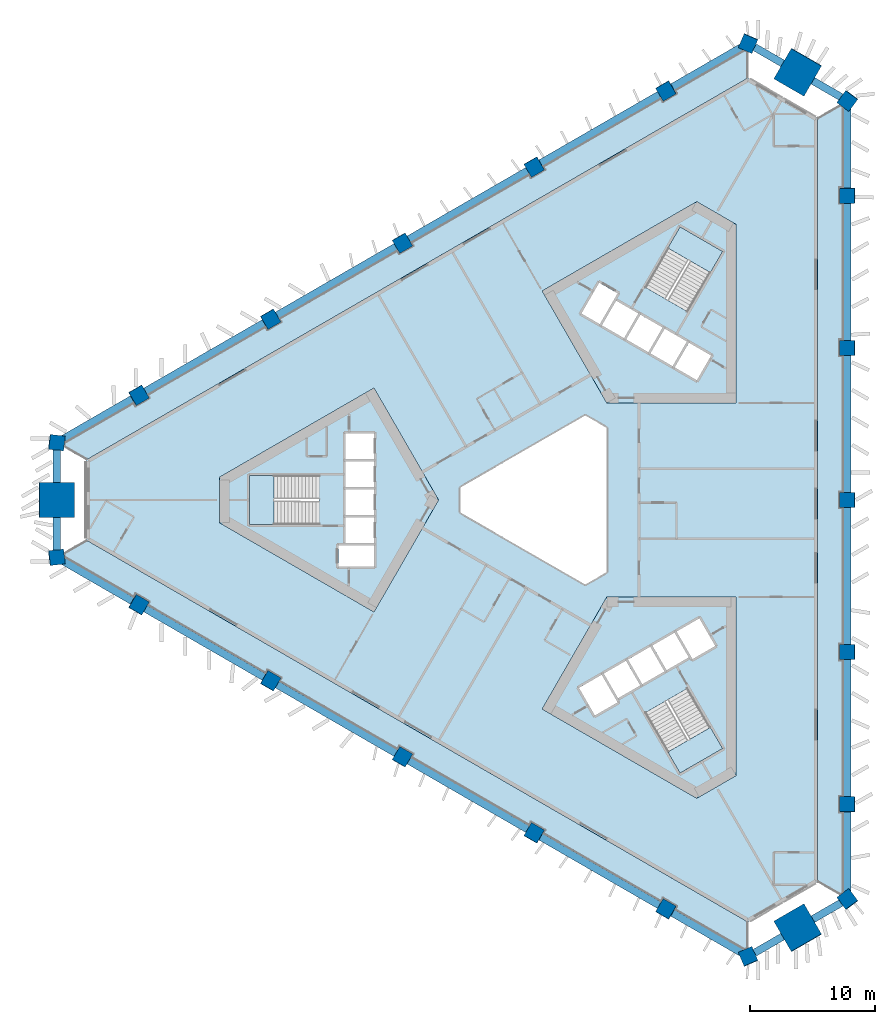
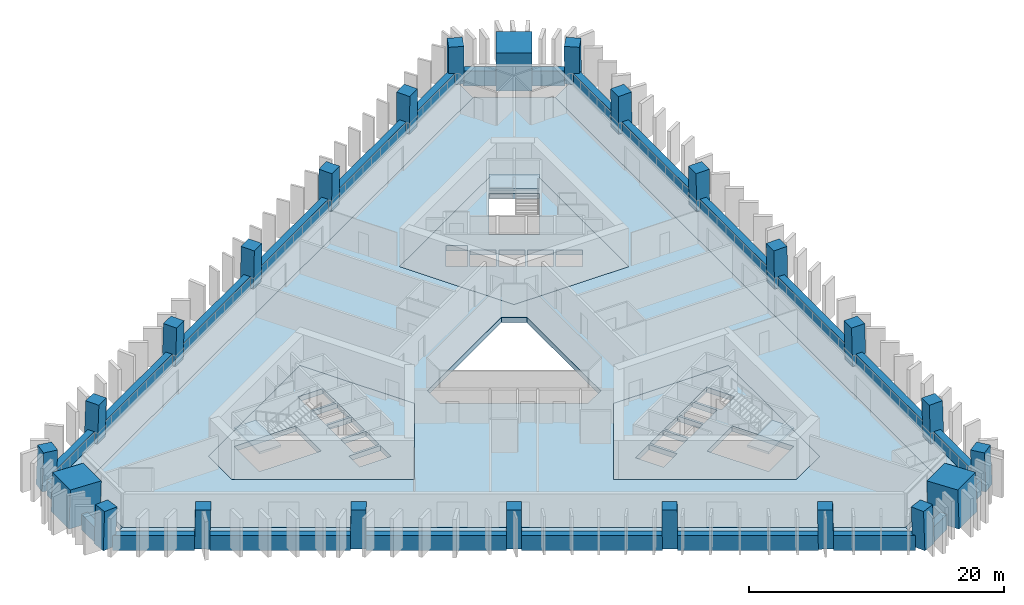
# One storey, part 1 of 10: 24 beams, 24 columns, 10 slabs, 3 elements without a shape of their own.
"""IFC4 building model written with IfcOpenShell, lengths in metres."""

from ifc_helpers import new_model, si_unit, direction, frame, origin, origin_2d, place, context, subcontext, project, spatial, polyline, rectangle, outline, extrude, material, layer, layer_set, material_profile, profile_set, type_object, element, aggregate, save


model = new_model("IFC4")

# Units and contexts
model_context = context("Model", 3, precision=1e-05, world=origin(), true_north=direction((0.0, 1.0)))
body_context = subcontext(model_context, "Body", "Model", "MODEL_VIEW")
ifc_project = project(units=[si_unit("LENGTHUNIT", "METRE"), si_unit("AREAUNIT", "SQUARE_METRE"), si_unit("VOLUMEUNIT", "CUBIC_METRE"), si_unit("PLANEANGLEUNIT", "RADIAN"), si_unit("MASSUNIT", "GRAM", prefix="KILO")], contexts=[model_context])

# Site, building, storey
site_placement = place(None, origin())
site = spatial("IfcSite", under=ifc_project, at=site_placement, CompositionType="ELEMENT")
building_placement = place(site_placement, origin())
building = spatial("IfcBuilding", under=site, at=building_placement, Name="Jabali Bay Hotel Tower and Convention Centre", CompositionType="ELEMENT")
storey_placement = place(building_placement, frame((0.0, 0.0, 41.10009765625)))
storey = spatial("IfcBuildingStorey", under=building, at=storey_placement, Name="L08", CompositionType="ELEMENT", Elevation=41.10009765625)

# Columns
ifc_material_1 = material(Name="Concrete C60", Category="concrete")
ifc_material_profile_1 = material_profile(ifc_material_1, rectangle(XDim=1.199951171875, YDim=1.199951171875, at=origin_2d()), Name="Frame column 1200")
ifc_profile_set_1 = profile_set([ifc_material_profile_1], Name="Concrete C60")
column_type_1 = type_object("IfcColumnType", Name="Frame column 1200", PredefinedType="COLUMN", material=ifc_profile_set_1)
column_1_placement = place(storey_placement, frame((84.255615234375, 112.85546875, 0.0), z_axis=(-0.00837646992, -0.028097450282, 0.999570091609), x_axis=(0.86617163682, 0.499292783589, 0.021293469065)))
element("IfcColumn", 1, at=column_1_placement, inside=storey, type_object=column_type_1, Name="FC1 F1.1 L08", PredefinedType="COLUMN", context=body_context, shape_type="SweptSolid", body=[
    extrude(rectangle(XDim=1.199951171875, YDim=1.199951171875, at=origin_2d()), origin(), (0.0, 0.0, 1.0), 3.70166015625),
])
column_2_placement = place(storey_placement, frame((73.67138671875, 106.74462890625, 0.0), z_axis=(0.000857578916, -0.022824792675, 0.999739112668), x_axis=(0.866060219769, 0.499825848733, 0.01066848966)))
element("IfcColumn", 2, at=column_2_placement, inside=storey, type_object=column_type_1, Name="FC1 F1.2 L08", PredefinedType="COLUMN", context=body_context, shape_type="SweptSolid", body=[
    extrude(rectangle(XDim=1.199951171875, YDim=1.199951171875, at=origin_2d()), origin(), (0.0, 0.0, 1.0), 3.700927734375),
])
column_3_placement = place(storey_placement, frame((63.087158203125, 100.6337890625, 0.0), z_axis=(0.010093620709, -0.017482414954, 0.999796221231), x_axis=(0.866020200589, 0.50000901209, 8.5616e-08)))
element("IfcColumn", 3, at=column_3_placement, inside=storey, type_object=column_type_1, Name="FC1 F1.3 L08", PredefinedType="COLUMN", context=body_context, shape_type="SweptSolid", body=[
    extrude(rectangle(XDim=1.199951171875, YDim=1.199951171875, at=origin_2d()), origin(), (0.0, 0.0, 1.0), 3.70068359375),
])
column_4_placement = place(storey_placement, frame((52.502685546875, 94.52294921875, 0.0), z_axis=(0.019328516974, -0.012138044789, 0.999739504221), x_axis=(-0.500200160538, 0.865674608258, 0.020180981521)))
element("IfcColumn", 4, at=column_4_placement, inside=storey, type_object=column_type_1, Name="FC1 F1.4 L08", PredefinedType="COLUMN", context=body_context, shape_type="SweptSolid", body=[
    extrude(rectangle(XDim=1.199951171875, YDim=1.199951171875, at=origin_2d()), origin(), (0.0, 0.0, 1.0), 3.700927734375),
])
for number, where, z_axis, x_axis, name in (
    (5, (41.91845703125, 88.412109375, 0.0), (0.02855911485, -0.006793507689, 0.999569019734), (-0.500405785832, 0.865555785013, 0.020180003373), "FC1 F1.5 L08"),
    (6, (41.91845703125, 71.587890625, 0.0), (0.02855911485, 0.006793507689, 0.999569019734), (-0.865319840559, 0.500766443848, 0.021319996519), "FC1 F2.1 L08"),
):
    element("IfcColumn", number, at=place(storey_placement, frame(where, z_axis=z_axis, x_axis=x_axis)), inside=storey, type_object=column_type_1, Name=name, PredefinedType="COLUMN", context=body_context, shape_type="SweptSolid", body=[
        extrude(rectangle(XDim=1.199951171875, YDim=1.199951171875, at=origin_2d()), origin(), (0.0, 0.0, 1.0), 3.70166015625),
    ])
column_5_placement = place(storey_placement, frame((52.502685546875, 65.47705078125, 0.0), z_axis=(0.019328516974, 0.012138044789, 0.999739504221), x_axis=(-0.865694061334, 0.500459928951, 0.010660754407)))
element("IfcColumn", 7, at=column_5_placement, inside=storey, type_object=column_type_1, Name="FC1 F2.2 L08", PredefinedType="COLUMN", context=body_context, shape_type="SweptSolid", body=[
    extrude(rectangle(XDim=1.199951171875, YDim=1.199951171875, at=origin_2d()), origin(), (0.0, 0.0, 1.0), 3.700927734375),
])
column_6_placement = place(storey_placement, frame((63.087158203125, 59.3662109375, 0.0), z_axis=(0.010093620709, 0.017482414954, 0.999796221231), x_axis=(-0.499907122366, -0.865843723195, 0.020187025824)))
element("IfcColumn", 8, at=column_6_placement, inside=storey, type_object=column_type_1, Name="FC1 F2.3 L08", PredefinedType="COLUMN", context=body_context, shape_type="SweptSolid", body=[
    extrude(rectangle(XDim=1.199951171875, YDim=1.199951171875, at=origin_2d()), origin(), (0.0, 0.0, 1.0), 3.70068359375),
])
column_7_placement = place(storey_placement, frame((73.67138671875, 53.25537109375, 0.0), z_axis=(0.000857578916, 0.022824792675, 0.999739112668), x_axis=(-0.499938956565, -0.865825126557, 0.020196285069)))
element("IfcColumn", 9, at=column_7_placement, inside=storey, type_object=column_type_1, Name="FC1 F2.4 L08", PredefinedType="COLUMN", context=body_context, shape_type="SweptSolid", body=[
    extrude(rectangle(XDim=1.199951171875, YDim=1.199951171875, at=origin_2d()), origin(), (0.0, 0.0, 1.0), 3.700927734375),
])
for number, where, z_axis, x_axis, name in (
    (10, (84.255615234375, 47.14453125, 0.0), (-0.00837646992, 0.028097450282, 0.999570091609), (-0.49967642562, -0.865977626468, 0.020154903518), "FC1 F2.5 L08"),
    (11, (98.825927734375, 55.556640625, 0.0), (-0.020182659751, 0.021303918626, 0.999569308901), (0.000228267203, -0.99977282903, 0.021312865295), "FC1 F0.1 L08"),
):
    element("IfcColumn", number, at=place(storey_placement, frame(where, z_axis=z_axis, x_axis=x_axis)), inside=storey, type_object=column_type_1, Name=name, PredefinedType="COLUMN", context=body_context, shape_type="SweptSolid", body=[
        extrude(rectangle(XDim=1.199951171875, YDim=1.199951171875, at=origin_2d()), origin(), (0.0, 0.0, 1.0), 3.70166015625),
    ])
column_8_placement = place(storey_placement, frame((98.825927734375, 67.7783203125, 0.0), z_axis=(-0.020186088539, 0.010686752756, 0.999739123544), x_axis=(-0.001023376713, -0.999942568771, 0.010668264128)))
element("IfcColumn", 12, at=column_8_placement, inside=storey, type_object=column_type_1, Name="FC1 F0.2 L08", PredefinedType="COLUMN", context=body_context, shape_type="SweptSolid", body=[
    extrude(rectangle(XDim=1.199951171875, YDim=1.199951171875, at=origin_2d()), origin(), (0.0, 0.0, 1.0), 3.700927734375),
])
column_9_placement = place(storey_placement, frame((98.825927734375, 80.0, 0.0), z_axis=(-0.020187241331, 0.0, 0.99979621688), x_axis=(0.0, -1.0, 0.0)))
element("IfcColumn", 13, at=column_9_placement, inside=storey, type_object=column_type_1, Name="FC1 F0.3 L08", PredefinedType="COLUMN", context=body_context, shape_type="SweptSolid", body=[
    extrude(rectangle(XDim=1.199951171875, YDim=1.199951171875, at=origin_2d()), origin(), (0.0, 0.0, 1.0), 3.70068359375),
])
column_10_placement = place(storey_placement, frame((98.825927734375, 92.2216796875, 0.0), z_axis=(-0.020186088539, -0.010686752756, 0.999739123544), x_axis=(0.999795716399, 0.000807759214, 0.020195865801)))
element("IfcColumn", 14, at=column_10_placement, inside=storey, type_object=column_type_1, Name="FC1 F0.4 L08", PredefinedType="COLUMN", context=body_context, shape_type="SweptSolid", body=[
    extrude(rectangle(XDim=1.199951171875, YDim=1.199951171875, at=origin_2d()), origin(), (0.0, 0.0, 1.0), 3.700927734375),
])
column_11_placement = place(storey_placement, frame((98.825927734375, 104.443359375, 0.0), z_axis=(-0.020182659751, -0.021303918626, 0.999569308901), x_axis=(0.999796283319, -0.000658319199, 0.020173211851)))
element("IfcColumn", 15, at=column_11_placement, inside=storey, type_object=column_type_1, Name="FC1 F0.5 L08", PredefinedType="COLUMN", context=body_context, shape_type="SweptSolid", body=[
    extrude(rectangle(XDim=1.199951171875, YDim=1.199951171875, at=origin_2d()), origin(), (0.0, 0.0, 1.0), 3.70166015625),
])
for number, where, z_axis, x_axis, name in (
    (16, (98.825927734375, 47.9375, 0.0), (-0.020178741915, 0.029015184452, 0.999375273581), (-0.802752400513, -0.596311465693, 0.001104243507), "FC1 V0 L08"),
    (17, (98.825927734375, 112.0625, 0.0), (-0.020178741915, -0.029015184452, 0.999375273581), (0.595970973996, 0.802228617636, 0.035324824137), "FC1 V1 L08"),
    (18, (90.85400390625, 116.6650390625, 0.0), (-0.015035141917, -0.031982648376, 0.99937533225), (0.917830191503, -0.396971687061, 0.001104191055), "FC1 V2 L08"),
    (19, (35.320068359375, 84.6025390625, 0.0), (0.03521388716, -0.002967462401, 0.999375393092), (-0.992735586192, 0.115015005662, 0.035321443635), "FC1 V3 L08"),
    (20, (35.320068359375, 75.3974609375, 0.0), (0.03521388716, 0.002967462401, 0.999375393092), (-0.115047981551, 0.993359322018, 0.001104219905), "FC1 V4 L08"),
    (21, (90.85400390625, 43.3349609375, 0.0), (-0.015035141917, 0.031982648376, 0.99937533225), (0.396688396696, -0.917273454252, 0.035323165936), "FC1 V5 L08"),
):
    element("IfcColumn", number, at=place(storey_placement, frame(where, z_axis=z_axis, x_axis=x_axis)), inside=storey, type_object=column_type_1, Name=name, PredefinedType="COLUMN", context=body_context, shape_type="SweptSolid", body=[
        extrude(rectangle(XDim=1.199951171875, YDim=1.199951171875, at=origin_2d()), origin(), (0.0, 0.0, 1.0), 3.7021484375),
    ])
ifc_material_2 = material(Name="Concrete C70", Category="concrete")
ifc_material_profile_2 = material_profile(ifc_material_2, rectangle(XDim=2.800048828125, YDim=2.800048828125, at=origin_2d()), Name="Mega column 2800")
ifc_profile_set_2 = profile_set([ifc_material_profile_2], Name="Concrete C70")
column_type_2 = type_object("IfcColumnType", Name="Mega column 2800", PredefinedType="COLUMN", material=ifc_profile_set_2)
for number, where, z_axis, x_axis, name in (
    (22, (94.83984375, 114.36376953125, 0.0), (-0.017607037296, -0.030466109479, 0.999380712447), (0.86581098392, -0.500371202332, 2.457e-09), "MC1 M1 L08"),
    (23, (35.320068359375, 80.0, 0.0), (0.035214042205, 0.0, 0.999379793288), (0.0, 1.0, 0.0), "MC1 M0 L08"),
    (24, (94.83984375, 45.63623046875, 0.0), (-0.017607037296, 0.030466109479, 0.999380712447), (0.500061328599, -0.865274797998, 0.035187946645), "MC1 M2 L08"),
):
    element("IfcColumn", number, at=place(storey_placement, frame(where, z_axis=z_axis, x_axis=x_axis)), inside=storey, type_object=column_type_2, Name=name, PredefinedType="COLUMN", context=body_context, shape_type="SweptSolid", body=[
        extrude(rectangle(XDim=2.800048828125, YDim=2.800048828125, at=origin_2d()), origin(), (0.0, 0.0, 1.0), 3.7021484375),
    ])

# Beams
ifc_material_profile_3 = material_profile(ifc_material_1, rectangle(XDim=0.60009765625, YDim=1.449951171875, at=origin_2d()), Name="Spandrel 600x1450")
ifc_profile_set_3 = profile_set([ifc_material_profile_3], Name="Concrete C60")
beam_type = type_object("IfcBeamType", Name="Spandrel 600x1450", PredefinedType="SPANDREL", material=ifc_profile_set_3)
beam_1_placement = place(storey_placement, frame((93.620849609375, 115.05224609375, 0.375), z_axis=(-0.866016800201, 0.500014901547, 0.0), x_axis=(-0.500014901547, -0.866016800201, 0.0)))
element("IfcBeam", 25, at=beam_1_placement, inside=storey, type_object=beam_type, Name="Spandrel M1-V2 L08", PredefinedType="SPANDREL", context=body_context, shape_type="SweptSolid", body=[
    extrude(rectangle(XDim=0.60009765625, YDim=1.449951171875, at=origin_2d()), origin(), (0.0, 0.0, 1.0), 2.6015625),
])
beam_2_placement = place(storey_placement, frame((90.32861328125, 116.35302734375, 0.375), z_axis=(-0.866023999556, -0.500002432188, 0.0), x_axis=(0.500002432188, -0.866023999556, 0.0)))
element("IfcBeam", 26, at=beam_2_placement, inside=storey, type_object=beam_type, Name="Spandrel V2-F1.1 L08", PredefinedType="SPANDREL", context=body_context, shape_type="SweptSolid", body=[
    extrude(rectangle(XDim=0.60009765625, YDim=1.449951171875, at=origin_2d()), origin(), (0.0, 0.0, 1.0), 6.416015625),
])
for number, where, z_axis, x_axis, name in (
    (27, (83.73291015625, 112.544921875, 0.375), (-0.866030974322, -0.499990351421, 0.0), (0.499990351421, -0.866030974322, 0.0), "Spandrel F1.1-F1.2 L08"),
    (28, (73.152099609375, 106.43603515625, 0.375), (-0.866030974322, -0.499990351421, 0.0), (0.499990351421, -0.866030974322, 0.0), "Spandrel F1.2-F1.3 L08"),
    (29, (62.5712890625, 100.327392578125, 0.375), (-0.866021379366, -0.500006970432, 0.0), (0.500006970432, -0.866021379366, 0.0), "Spandrel F1.3-F1.4 L08"),
    (30, (51.990478515625, 94.218505859375, 0.375), (-0.866030974322, -0.499990351421, 0.0), (0.499990351421, -0.866030974322, 0.0), "Spandrel F1.4-F1.5 L08"),
):
    element("IfcBeam", number, at=place(storey_placement, frame(where, z_axis=z_axis, x_axis=x_axis)), inside=storey, type_object=beam_type, Name=name, PredefinedType="SPANDREL", context=body_context, shape_type="SweptSolid", body=[
        extrude(rectangle(XDim=0.60009765625, YDim=1.449951171875, at=origin_2d()), origin(), (0.0, 0.0, 1.0), 11.017822265625),
    ])
beam_3_placement = place(storey_placement, frame((41.40966796875, 88.109619140625, 0.375), z_axis=(-0.866033512162, -0.499985955615, 0.0), x_axis=(0.499985955615, -0.866033512162, 0.0)))
element("IfcBeam", 31, at=beam_3_placement, inside=storey, type_object=beam_type, Name="Spandrel F1.5-V3 L08", PredefinedType="SPANDREL", context=body_context, shape_type="SweptSolid", body=[
    extrude(rectangle(XDim=0.60009765625, YDim=1.449951171875, at=origin_2d()), origin(), (0.0, 0.0, 1.0), 6.416259765625),
])
for number, where, z_axis, x_axis, name in (
    (32, (35.33349609375, 84.00146484375, 0.375), (0.0, -1.0, 0.0), (1.0, 0.0, 0.0), "Spandrel V3-M0 L08"),
    (33, (35.33349609375, 78.60009765625, 0.375), (0.0, -1.0, 0.0), (1.0, 0.0, 0.0), "Spandrel M0-V4 L08"),
):
    element("IfcBeam", number, at=place(storey_placement, frame(where, z_axis=z_axis, x_axis=x_axis)), inside=storey, type_object=beam_type, Name=name, PredefinedType="SPANDREL", context=body_context, shape_type="SweptSolid", body=[
        extrude(rectangle(XDim=0.60009765625, YDim=1.449951171875, at=origin_2d()), origin(), (0.0, 0.0, 1.0), 2.6015625),
    ])
beam_4_placement = place(storey_placement, frame((35.85302734375, 75.098388671875, 0.375), z_axis=(0.866033512162, -0.499985955615, 0.0), x_axis=(0.499985955615, 0.866033512162, 0.0)))
element("IfcBeam", 34, at=beam_4_placement, inside=storey, type_object=beam_type, Name="Spandrel V4-F2.1 L08", PredefinedType="SPANDREL", context=body_context, shape_type="SweptSolid", body=[
    extrude(rectangle(XDim=0.60009765625, YDim=1.449951171875, at=origin_2d()), origin(), (0.0, 0.0, 1.0), 6.416259765625),
])
for number, where, z_axis, x_axis, name in (
    (35, (42.44873046875, 71.290283203125, 0.375), (0.866030974322, -0.499990351421, 0.0), (0.499990351421, 0.866030974322, 0.0), "Spandrel F2.1-F2.2 L08"),
    (36, (53.029541015625, 65.181640625, 0.375), (0.866021379366, -0.500006970432, 0.0), (0.500006970432, 0.866021379366, 0.0), "Spandrel F2.2-F2.3 L08"),
    (37, (63.6103515625, 59.07275390625, 0.375), (0.866030974322, -0.499990351421, 0.0), (0.499990351421, 0.866030974322, 0.0), "Spandrel F2.3-F2.4 L08"),
    (38, (74.191162109375, 52.9638671875, 0.375), (0.866030974322, -0.499990351421, 0.0), (0.499990351421, 0.866030974322, 0.0), "Spandrel F2.4-F2.5 L08"),
):
    element("IfcBeam", number, at=place(storey_placement, frame(where, z_axis=z_axis, x_axis=x_axis)), inside=storey, type_object=beam_type, Name=name, PredefinedType="SPANDREL", context=body_context, shape_type="SweptSolid", body=[
        extrude(rectangle(XDim=0.60009765625, YDim=1.449951171875, at=origin_2d()), origin(), (0.0, 0.0, 1.0), 11.017822265625),
    ])
beam_5_placement = place(storey_placement, frame((84.772216796875, 46.85498046875, 0.375), z_axis=(0.866023999556, -0.500002432188, 0.0), x_axis=(0.500002432188, 0.866023999556, 0.0)))
element("IfcBeam", 39, at=beam_5_placement, inside=storey, type_object=beam_type, Name="Spandrel F2.5-V5 L08", PredefinedType="SPANDREL", context=body_context, shape_type="SweptSolid", body=[
    extrude(rectangle(XDim=0.60009765625, YDim=1.449951171875, at=origin_2d()), origin(), (0.0, 0.0, 1.0), 6.416015625),
])
beam_6_placement = place(storey_placement, frame((91.367919921875, 43.64697265625, 0.375), z_axis=(0.866016800201, 0.500014901547, 0.0), x_axis=(-0.500014901547, 0.866016800201, 0.0)))
element("IfcBeam", 40, at=beam_6_placement, inside=storey, type_object=beam_type, Name="Spandrel V5-M2 L08", PredefinedType="SPANDREL", context=body_context, shape_type="SweptSolid", body=[
    extrude(rectangle(XDim=0.60009765625, YDim=1.449951171875, at=origin_2d()), origin(), (0.0, 0.0, 1.0), 2.6015625),
])
beam_7_placement = place(storey_placement, frame((96.045654296875, 46.34765625, 0.375), z_axis=(0.8660402604, 0.499974266704, 0.0), x_axis=(-0.499974266704, 0.8660402604, 0.0)))
element("IfcBeam", 41, at=beam_7_placement, inside=storey, type_object=beam_type, Name="Spandrel M2-V0 L08", PredefinedType="SPANDREL", context=body_context, shape_type="SweptSolid", body=[
    extrude(rectangle(XDim=0.60009765625, YDim=1.449951171875, at=origin_2d()), origin(), (0.0, 0.0, 1.0), 2.601806640625),
])
beam_8_placement = place(storey_placement, frame((98.818359375, 48.548583984375, 0.375), z_axis=(0.0, 1.0, 0.0), x_axis=(-1.0, 0.0, 0.0)))
element("IfcBeam", 42, at=beam_8_placement, inside=storey, type_object=beam_type, Name="Spandrel V0-F0.1 L08", PredefinedType="SPANDREL", context=body_context, shape_type="SweptSolid", body=[
    extrude(rectangle(XDim=0.60009765625, YDim=1.449951171875, at=origin_2d()), origin(), (0.0, 0.0, 1.0), 6.416015625),
])
beam_9_placement = place(storey_placement, frame((98.818359375, 56.16455078125, 0.375), z_axis=(0.0, 1.0, 0.0), x_axis=(-1.0, 0.0, 0.0)))
element("IfcBeam", 43, at=beam_9_placement, inside=storey, type_object=beam_type, Name="Spandrel F0.1-F0.2 L08", PredefinedType="SPANDREL", context=body_context, shape_type="SweptSolid", body=[
    extrude(rectangle(XDim=0.60009765625, YDim=1.449951171875, at=origin_2d()), origin(), (0.0, 0.0, 1.0), 11.017822265625),
])
for number, where, z_axis, x_axis, name in (
    (44, (98.818359375, 68.38232421875, 0.375), (0.0, 1.0, 0.0), (-1.0, 0.0, 0.0), "Spandrel F0.2-F0.3 L08"),
    (45, (98.818359375, 80.60009765625, 0.375), (0.0, 1.0, 0.0), (-1.0, 0.0, 0.0), "Spandrel F0.3-F0.4 L08"),
):
    element("IfcBeam", number, at=place(storey_placement, frame(where, z_axis=z_axis, x_axis=x_axis)), inside=storey, type_object=beam_type, Name=name, PredefinedType="SPANDREL", context=body_context, shape_type="SweptSolid", body=[
        extrude(rectangle(XDim=0.60009765625, YDim=1.449951171875, at=origin_2d()), origin(), (0.0, 0.0, 1.0), 11.017578125),
    ])
beam_10_placement = place(storey_placement, frame((98.818359375, 92.817626953125, 0.375), z_axis=(0.0, 1.0, 0.0), x_axis=(-1.0, 0.0, 0.0)))
element("IfcBeam", 46, at=beam_10_placement, inside=storey, type_object=beam_type, Name="Spandrel F0.4-F0.5 L08", PredefinedType="SPANDREL", context=body_context, shape_type="SweptSolid", body=[
    extrude(rectangle(XDim=0.60009765625, YDim=1.449951171875, at=origin_2d()), origin(), (0.0, 0.0, 1.0), 11.017822265625),
])
beam_11_placement = place(storey_placement, frame((98.818359375, 105.035400390625, 0.375), z_axis=(0.0, 1.0, 0.0), x_axis=(-1.0, 0.0, 0.0)))
element("IfcBeam", 47, at=beam_11_placement, inside=storey, type_object=beam_type, Name="Spandrel F0.5-V1 L08", PredefinedType="SPANDREL", context=body_context, shape_type="SweptSolid", body=[
    extrude(rectangle(XDim=0.60009765625, YDim=1.449951171875, at=origin_2d()), origin(), (0.0, 0.0, 1.0), 6.416015625),
])
beam_12_placement = place(storey_placement, frame((98.298828125, 112.3515625, 0.375), z_axis=(-0.8660402604, 0.499974266704, 0.0), x_axis=(-0.499974266704, -0.8660402604, 0.0)))
element("IfcBeam", 48, at=beam_12_placement, inside=storey, type_object=beam_type, Name="Spandrel V1-M1 L08", PredefinedType="SPANDREL", context=body_context, shape_type="SweptSolid", body=[
    extrude(rectangle(XDim=0.60009765625, YDim=1.449951171875, at=origin_2d()), origin(), (0.0, 0.0, 1.0), 2.601806640625),
])

# Slabs
ifc_material_3 = material(Name="Concrete C40", Category="concrete")
ifc_layer_1 = layer(ifc_material_3, 0.5)
ifc_layer_set_1 = layer_set([ifc_layer_1], Name="Concrete C40")
slab_type_1 = type_object("IfcSlabType", Name="Core floor slab 500", PredefinedType="FLOOR", material=ifc_layer_set_1)
slab_1_placement = place(storey_placement, frame((0.0, 0.0, -0.5)))
element("IfcSlab", 49, at=slab_1_placement, inside=storey, type_object=slab_type_1, Name="Core floor slab 1 L08", PredefinedType="FLOOR", context=body_context, shape_type="SweptSolid", body=[
    extrude(outline(polyline([(66.0, 80.0), (60.81005859375, 88.9892578125), (48.39697265625, 81.82275390625), (48.39697265625, 78.17724609375), (60.81005859375, 71.0107421875), (66.0, 80.0)]), holes=[polyline([(60.800048828125, 74.64990234375), (60.800048828125, 76.35009765625), (57.949951171875, 76.35009765625), (57.949951171875, 74.64990234375), (60.800048828125, 74.64990234375)]), polyline([(58.52001953125, 76.550048828125), (60.800048828125, 76.550048828125), (60.800048828125, 78.60009765625), (58.52001953125, 78.60009765625), (58.52001953125, 76.550048828125)]), polyline([(58.52001953125, 78.800048828125), (60.800048828125, 78.800048828125), (60.800048828125, 80.85009765625), (58.52001953125, 80.85009765625), (58.52001953125, 78.800048828125)]), polyline([(56.409912109375, 81.97509765625), (50.820068359375, 81.97509765625), (50.820068359375, 78.02490234375), (56.409912109375, 78.02490234375), (56.409912109375, 81.97509765625)]), polyline([(58.52001953125, 81.050048828125), (60.800048828125, 81.050048828125), (60.800048828125, 83.10009765625), (58.52001953125, 83.10009765625), (58.52001953125, 81.050048828125)]), polyline([(58.52001953125, 83.300048828125), (60.800048828125, 83.300048828125), (60.800048828125, 85.35009765625), (58.52001953125, 85.35009765625), (58.52001953125, 83.300048828125)])]), origin(), (0.0, 0.0, 1.0), 0.5),
])
slab_2_placement = place(storey_placement, frame((0.0, 0.0, -0.5)))
element("IfcSlab", 50, at=slab_2_placement, inside=storey, type_object=slab_type_1, Name="Core floor slab 2 L08", PredefinedType="FLOOR", context=body_context, shape_type="SweptSolid", body=[
    extrude(outline(polyline([(79.5, 87.794189453125), (89.8798828125, 87.794189453125), (89.8798828125, 102.127685546875), (86.72314453125, 103.9501953125), (74.31005859375, 96.78369140625), (79.5, 87.794189453125)]), holes=[polyline([(84.957763671875, 90.6474609375), (86.733154296875, 89.62255859375), (87.873291015625, 91.59716796875), (86.097900390625, 92.6220703125), (84.957763671875, 90.6474609375)]), polyline([(84.1494140625, 93.7470703125), (83.00927734375, 91.7724609375), (84.78466796875, 90.74755859375), (85.924560546875, 92.72216796875), (84.1494140625, 93.7470703125)]), polyline([(82.20068359375, 94.8720703125), (81.060791015625, 92.8974609375), (82.836181640625, 91.87255859375), (83.97607421875, 93.84716796875), (82.20068359375, 94.8720703125)]), polyline([(79.1123046875, 94.0224609375), (80.887451171875, 92.99755859375), (82.027587890625, 94.97216796875), (80.252197265625, 95.9970703125), (79.1123046875, 94.0224609375)]), polyline([(78.891845703125, 97.440673828125), (77.466796875, 94.97265625), (78.93896484375, 94.12255859375), (80.364013671875, 96.5908203125), (78.891845703125, 97.440673828125)]), polyline([(82.584716796875, 97.0869140625), (86.00537109375, 95.11181640625), (88.80029296875, 99.952880859375), (85.379638671875, 101.927978515625), (82.584716796875, 97.0869140625)])]), origin(), (0.0, 0.0, 1.0), 0.5),
])
slab_3_placement = place(storey_placement, frame((0.0, 0.0, -0.5)))
element("IfcSlab", 51, at=slab_3_placement, inside=storey, type_object=slab_type_1, Name="Core floor slab 3 L08", PredefinedType="FLOOR", context=body_context, shape_type="SweptSolid", body=[
    extrude(outline(polyline([(79.5, 72.205810546875), (74.31005859375, 63.21630859375), (86.72314453125, 56.0498046875), (89.8798828125, 57.872314453125), (89.8798828125, 72.205810546875), (79.5, 72.205810546875)]), holes=[polyline([(82.584716796875, 62.9130859375), (85.379638671875, 58.072021484375), (88.80029296875, 60.047119140625), (86.00537109375, 64.88818359375), (82.584716796875, 62.9130859375)]), polyline([(80.365478515625, 63.756591796875), (79.090576171875, 65.96484375), (77.27197265625, 64.9150390625), (78.546875, 62.70654296875), (80.365478515625, 63.756591796875)]), polyline([(82.17919921875, 65.115478515625), (81.0390625, 67.08984375), (79.263671875, 66.06494140625), (80.40380859375, 64.09033203125), (82.17919921875, 65.115478515625)]), polyline([(82.98779296875, 68.21484375), (81.21240234375, 67.18994140625), (82.352294921875, 65.21533203125), (84.127685546875, 66.240478515625), (82.98779296875, 68.21484375)]), polyline([(86.076171875, 67.365478515625), (84.936279296875, 69.33984375), (83.160888671875, 68.31494140625), (84.30078125, 66.34033203125), (86.076171875, 67.365478515625)]), polyline([(88.203125, 68.281494140625), (86.927978515625, 70.489990234375), (85.109375, 69.43994140625), (86.384521484375, 67.231689453125), (88.203125, 68.281494140625)])]), origin(), (0.0, 0.0, 1.0), 0.5),
])
ifc_layer_2 = layer(ifc_material_3, 0.199951171875)
ifc_layer_set_2 = layer_set([ifc_layer_2], Name="Concrete C40")
slab_type_2 = type_object("IfcSlabType", Name="Loggia slab 200", PredefinedType="FLOOR", material=ifc_layer_set_2)
slab_4_placement = place(storey_placement, frame((0.0, 0.0, -0.2001953125)))
element("IfcSlab", 52, at=slab_4_placement, inside=storey, type_object=slab_type_2, Name="Loggia slab east face L08", PredefinedType="FLOOR", context=body_context, shape_type="SweptSolid", body=[
    extrude(outline(polyline([(96.42578125, 110.6767578125), (98.259765625, 111.735595703125), (98.52587890625, 111.537841796875), (98.52587890625, 105.04345703125), (98.225830078125, 105.04345703125), (98.225830078125, 103.84326171875), (98.52587890625, 103.84326171875), (98.52587890625, 92.82177734375), (98.225830078125, 92.82177734375), (98.225830078125, 91.62158203125), (98.52587890625, 91.62158203125), (98.52587890625, 80.60009765625), (98.225830078125, 80.60009765625), (98.225830078125, 79.39990234375), (98.52587890625, 79.39990234375), (98.52587890625, 68.37841796875), (98.225830078125, 68.37841796875), (98.225830078125, 67.17822265625), (98.52587890625, 67.17822265625), (98.52587890625, 56.15673828125), (98.225830078125, 56.15673828125), (98.225830078125, 54.95654296875), (98.52587890625, 54.95654296875), (98.52587890625, 48.462158203125), (98.259765625, 48.264404296875), (96.42578125, 49.3232421875), (96.42578125, 110.6767578125)])), origin(), (0.0, 0.0, 1.0), 0.2001953125),
])
slab_5_placement = place(storey_placement, frame((0.0, 0.0, -0.2001953125)))
element("IfcSlab", 53, at=slab_5_placement, inside=storey, type_object=slab_type_2, Name="Loggia slab north-west face L08", PredefinedType="FLOOR", context=body_context, shape_type="SweptSolid", body=[
    extrude(outline(polyline([(37.72021484375, 83.217041015625), (35.88623046875, 84.27587890625), (35.924560546875, 84.605224609375), (41.548828125, 87.852294921875), (41.698974609375, 87.592529296875), (42.738037109375, 88.192626953125), (42.588134765625, 88.452392578125), (52.133056640625, 93.963134765625), (52.283203125, 93.703369140625), (53.322265625, 94.303466796875), (53.17236328125, 94.563232421875), (62.717529296875, 100.073974609375), (62.867431640625, 99.814208984375), (63.90673828125, 100.414306640625), (63.756591796875, 100.674072265625), (73.3017578125, 106.184814453125), (73.45166015625, 105.925048828125), (74.490966796875, 106.525146484375), (74.341064453125, 106.784912109375), (83.885986328125, 112.295654296875), (84.035888671875, 112.035888671875), (85.0751953125, 112.635986328125), (84.92529296875, 112.895751953125), (90.549560546875, 116.142822265625), (90.85400390625, 116.011474609375), (90.85400390625, 113.893798828125), (37.72021484375, 83.217041015625)])), origin(), (0.0, 0.0, 1.0), 0.2001953125),
])
slab_6_placement = place(storey_placement, frame((0.0, 0.0, -0.2001953125)))
element("IfcSlab", 54, at=slab_6_placement, inside=storey, type_object=slab_type_2, Name="Loggia slab south-west face L08", PredefinedType="FLOOR", context=body_context, shape_type="SweptSolid", body=[
    extrude(outline(polyline([(90.85400390625, 46.106201171875), (90.85400390625, 43.988525390625), (90.549560546875, 43.857177734375), (84.92529296875, 47.104248046875), (85.0751953125, 47.364013671875), (84.035888671875, 47.964111328125), (83.885986328125, 47.704345703125), (74.341064453125, 53.215087890625), (74.490966796875, 53.474853515625), (73.45166015625, 54.074951171875), (73.3017578125, 53.815185546875), (63.756591796875, 59.325927734375), (63.90673828125, 59.585693359375), (62.867431640625, 60.185791015625), (62.717529296875, 59.926025390625), (53.17236328125, 65.436767578125), (53.322265625, 65.696533203125), (52.283203125, 66.296630859375), (52.133056640625, 66.036865234375), (42.588134765625, 71.547607421875), (42.738037109375, 71.807373046875), (41.698974609375, 72.407470703125), (41.548828125, 72.147705078125), (35.924560546875, 75.394775390625), (35.88623046875, 75.72412109375), (37.72021484375, 76.782958984375), (90.85400390625, 46.106201171875)])), origin(), (0.0, 0.0, 1.0), 0.2001953125),
])
ifc_layer_3 = layer(ifc_material_3, 0.5)
ifc_layer_set_3 = layer_set([ifc_layer_3], Name="Concrete C40")
slab_type_3 = type_object("IfcSlabType", Name="Post-tensioned flat slab 500", PredefinedType="FLOOR", material=ifc_layer_set_3)
slab_7_placement = place(storey_placement, frame((0.0, 0.0, -0.5)))
element("IfcSlab", 55, at=slab_7_placement, inside=storey, type_object=slab_type_3, Name="Floor slab L08", PredefinedType="FLOOR", context=body_context, shape_type="SweptSolid", body=[
    extrude(outline(polyline([(90.85400390625, 113.893798828125), (96.42578125, 110.6767578125), (96.42578125, 49.3232421875), (90.85400390625, 46.106201171875), (37.72021484375, 76.782958984375), (37.72021484375, 83.217041015625), (90.85400390625, 113.893798828125)]), holes=[polyline([(67.73193359375, 79.0), (77.76806640625, 73.205810546875), (79.5, 74.205810546875), (79.5, 85.794189453125), (77.76806640625, 86.794189453125), (67.73193359375, 81.0), (67.73193359375, 79.0)]), polyline([(48.39697265625, 78.17724609375), (60.81005859375, 71.0107421875), (66.0, 80.0), (60.81005859375, 88.9892578125), (48.39697265625, 81.82275390625), (48.39697265625, 78.17724609375)]), polyline([(89.8798828125, 102.127685546875), (86.72314453125, 103.9501953125), (74.31005859375, 96.78369140625), (79.5, 87.794189453125), (89.8798828125, 87.794189453125), (89.8798828125, 102.127685546875)]), polyline([(74.31005859375, 63.21630859375), (86.72314453125, 56.0498046875), (89.8798828125, 57.872314453125), (89.8798828125, 72.205810546875), (79.5, 72.205810546875), (74.31005859375, 63.21630859375)])]), origin(), (0.0, 0.0, 1.0), 0.5),
])

# Stair, slab
stair_type = type_object("IfcStairType", Name="Exit stair 1900", PredefinedType="HALF_TURN_STAIR", material=ifc_material_3)
stair_1_placement = place(storey_placement, origin())
stair_1 = element("IfcStair", 56, at=stair_1_placement, inside=storey, type_object=stair_type, Name="L08 Exit Stair 1", PredefinedType="HALF_TURN_STAIR")
ifc_layer_4 = layer(ifc_material_3, 0.199951171875)
ifc_layer_set_4 = layer_set([ifc_layer_4], Name="Concrete C40")
slab_type_4 = type_object("IfcSlabType", Name="Stair landing 200", PredefinedType="LANDING", material=ifc_layer_set_4)
slab_8_placement = place(storey_placement, frame((0.0, 0.0, 1.64990234375)))
slab_8 = element("IfcSlab", 57, at=slab_8_placement, type_object=slab_type_4, Name="ST1 landing 1", PredefinedType="LANDING", context=body_context, shape_type="SweptSolid", body=[
    extrude(outline(polyline([(52.782958984375, 81.97509765625), (50.820068359375, 81.97509765625), (50.820068359375, 78.02490234375), (52.782958984375, 78.02490234375), (52.782958984375, 81.97509765625)])), origin(), (0.0, 0.0, 1.0), 0.199951171875),
])
aggregate(stair_1, [slab_8])

stair_2_placement = place(storey_placement, origin())
stair_2 = element("IfcStair", 58, at=stair_2_placement, inside=storey, type_object=stair_type, Name="L08 Exit Stair 2", PredefinedType="HALF_TURN_STAIR")
slab_9_placement = place(storey_placement, frame((0.0, 0.0, 1.64990234375)))
slab_9 = element("IfcSlab", 59, at=slab_9_placement, type_object=slab_type_4, Name="ST2 landing 1", PredefinedType="LANDING", context=body_context, shape_type="SweptSolid", body=[
    extrude(outline(polyline([(87.81884765625, 98.2529296875), (88.80029296875, 99.952880859375), (85.379638671875, 101.927978515625), (84.398193359375, 100.22802734375), (87.81884765625, 98.2529296875)])), origin(), (0.0, 0.0, 1.0), 0.199951171875),
])
aggregate(stair_2, [slab_9])

stair_3_placement = place(storey_placement, origin())
stair_3 = element("IfcStair", 60, at=stair_3_placement, inside=storey, type_object=stair_type, Name="L08 Exit Stair 3", PredefinedType="HALF_TURN_STAIR")
slab_10_placement = place(storey_placement, frame((0.0, 0.0, 1.64990234375)))
slab_10 = element("IfcSlab", 61, at=slab_10_placement, type_object=slab_type_4, Name="ST3 landing 1", PredefinedType="LANDING", context=body_context, shape_type="SweptSolid", body=[
    extrude(outline(polyline([(84.398193359375, 59.77197265625), (85.379638671875, 58.072021484375), (88.80029296875, 60.047119140625), (87.81884765625, 61.7470703125), (84.398193359375, 59.77197265625)])), origin(), (0.0, 0.0, 1.0), 0.199951171875),
])
aggregate(stair_3, [slab_10])

save(model, "model.ifc")
